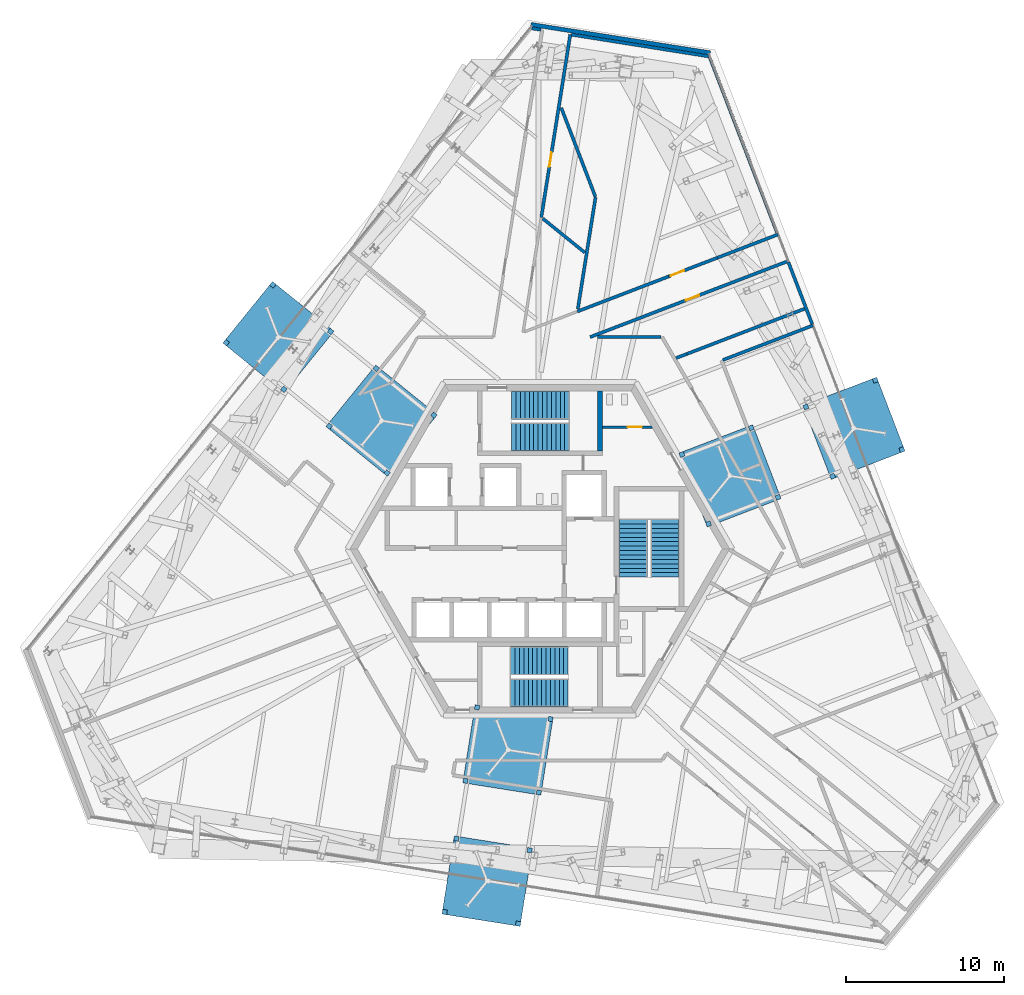
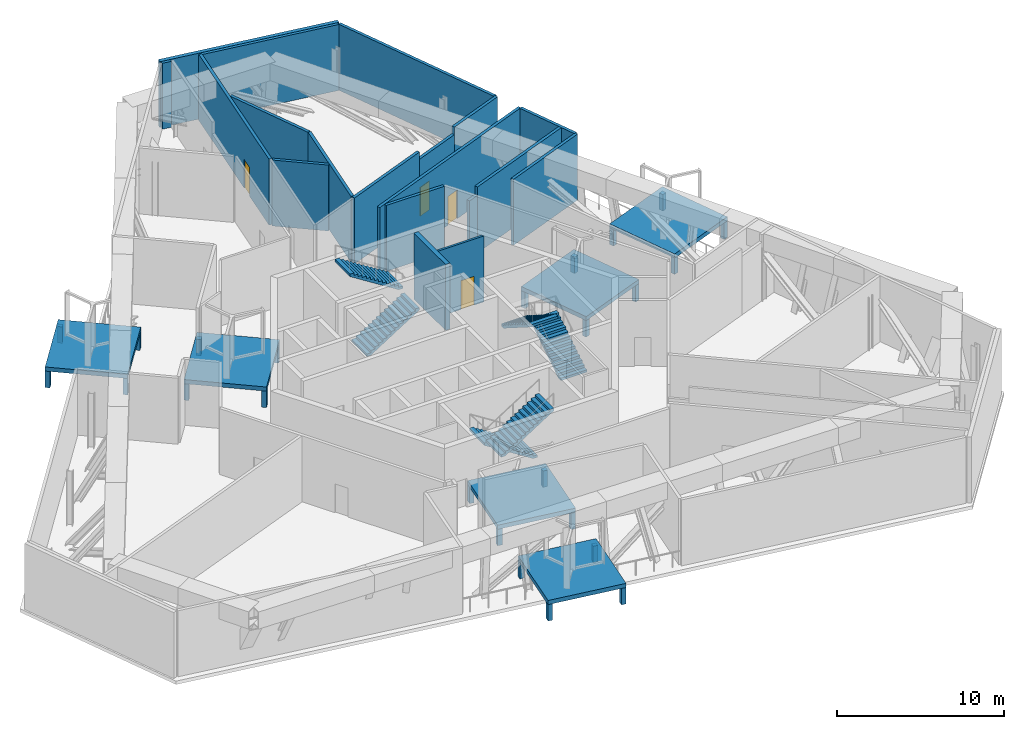
# One storey, part 11 of 14: 30 discrete accessories, 19 walls, 6 stair flights, 4 doors, 4 openings, 3 elements without a shape of their own.
"""IFC4 building model written with IfcOpenShell, lengths in metres."""

import ifcopenshell
import ifcopenshell.guid

model = None  # the IFC model being written
_history = None  # IfcOwnerHistory: only IFC2X3 demands one
_inside = {}  # id of a spatial element -> (the spatial element, [elements in it])
_under = {}  # id of a project, library or spatial element -> (it, [spatial elements below it])
_declared = {}  # id of a project -> (the project, [libraries it declares])
_typed = {}  # id of a type object -> (the type object, [elements of that type])
_made_of = {}  # id of a material, layer set ... -> (it, [elements and type objects made of it])


def new_model(schema):
    """Start an empty IFC model of exactly this schema.

    Asked for "IFC4X3", IfcOpenShell would pick the latest addendum, in which some entities
    have other attributes; the version numbers below select the first issue.
    IFC2X3 requires an IfcOwnerHistory on every rooted entity: one is made here for all.
    """
    global model, _history
    if schema == "IFC4X3":
        model = ifcopenshell.file(schema_version=(4, 3, 0, 0))
    else:
        model = ifcopenshell.file(schema=schema)
    _inside.clear()
    _under.clear()
    _declared.clear()
    _typed.clear()
    _made_of.clear()
    _history = None
    if model.schema == "IFC2X3":
        org = make("IfcOrganization", Name="unknown")
        user = make(
            "IfcPersonAndOrganization",
            ThePerson=make("IfcPerson", FamilyName="unknown"),
            TheOrganization=org,
        )
        app = make(
            "IfcApplication",
            ApplicationDeveloper=org,
            Version="unknown",
            ApplicationFullName="unknown",
            ApplicationIdentifier="unknown",
        )
        _history = make(
            "IfcOwnerHistory",
            OwningUser=user,
            OwningApplication=app,
            ChangeAction="ADDED",
            CreationDate=0,
        )
    return model


def make(cls, **values):
    """One entity of the class cls with the attributes given. An attribute that is None is left unset."""
    return model.create_entity(
        cls, **{name: value for name, value in values.items() if value is not None}
    )


def rooted(cls, **values):
    """An entity with a GlobalId (a new one), such as an element, a storey or a relation."""
    return make(cls, GlobalId=ifcopenshell.guid.new(), OwnerHistory=_history, **values)


def si_unit(unit_type, name, prefix=None):
    """IfcSIUnit, for example si_unit("LENGTHUNIT", "METRE", prefix="MILLI")."""
    return make("IfcSIUnit", UnitType=unit_type, Prefix=prefix, Name=name)


def assignment(units):
    """IfcUnitAssignment: the units of a project."""
    return None if units is None else make("IfcUnitAssignment", Units=units)


def point(xyz):
    """IfcCartesianPoint."""
    return None if xyz is None else make("IfcCartesianPoint", Coordinates=xyz)


def direction(xyz):
    """IfcDirection."""
    return None if xyz is None else make("IfcDirection", DirectionRatios=xyz)


def frame(location, z_axis=None, x_axis=None):
    """IfcAxis2Placement3D, a coordinate frame: its origin and axes. An axis left out is left unset."""
    return make(
        "IfcAxis2Placement3D",
        Location=point(location),
        Axis=direction(z_axis),
        RefDirection=direction(x_axis),
    )


def frame_2d(location, x_axis=None):
    """IfcAxis2Placement2D, a coordinate frame in the plane: its origin and x axis."""
    return make(
        "IfcAxis2Placement2D", Location=point(location), RefDirection=direction(x_axis)
    )


def origin():
    """The frame at (0, 0, 0) with its axes left unset."""
    return frame((0.0, 0.0, 0.0))


def origin_2d():
    """The frame at (0, 0) in the plane with its x axis left unset."""
    return frame_2d((0.0, 0.0))


def place(relative_to, where):
    """IfcLocalPlacement: puts the frame where relative to a parent placement (None: the world)."""
    return make(
        "IfcLocalPlacement", PlacementRelTo=relative_to, RelativePlacement=where
    )


def context(
    kind, dimensions, precision=None, world=None, true_north=None, identifier=None
):
    """IfcGeometricRepresentationContext, for example the 3D "Model" context."""
    return make(
        "IfcGeometricRepresentationContext",
        ContextIdentifier=identifier,
        ContextType=kind,
        CoordinateSpaceDimension=dimensions,
        Precision=precision,
        WorldCoordinateSystem=world,
        TrueNorth=true_north,
    )


def subcontext(parent, identifier, kind, view, scale=None):
    """IfcGeometricRepresentationSubContext, for example "Body" below "Model"."""
    return make(
        "IfcGeometricRepresentationSubContext",
        ContextIdentifier=identifier,
        ContextType=kind,
        ParentContext=parent,
        TargetScale=scale,
        TargetView=view,
    )


def project(units=None, contexts=None):
    """IfcProject with its units and contexts."""
    return rooted(
        "IfcProject",
        Name="project",
        RepresentationContexts=contexts,
        UnitsInContext=assignment(units),
    )


def spatial(cls, under=None, at=None, **own):
    """A site, building, storey or space (cls), placed at a placement, below another one or the project."""
    s = rooted(cls, ObjectPlacement=at, **own)
    if under is not None:
        _under.setdefault(under.id(), (under, []))[1].append(s)
    return s


def polyline(points):
    """IfcPolyline through the points."""
    return make("IfcPolyline", Points=[point(p) for p in points])


def profile(cls, at=None, kind="AREA", **sizes):
    """A parametric profile (cls). Its sizes go by their IFC names, for example OverallWidth=200.0."""
    return make(cls, ProfileType=kind, Position=at, **sizes)


def rectangle(**sizes):
    """IfcRectangleProfileDef."""
    return profile("IfcRectangleProfileDef", **sizes)


def outline(outer, holes=None, kind="AREA"):
    """IfcArbitraryClosedProfileDef: a profile drawn as a closed curve; with holes, ...WithVoids."""
    if holes is None:
        return make("IfcArbitraryClosedProfileDef", ProfileType=kind, OuterCurve=outer)
    return make(
        "IfcArbitraryProfileDefWithVoids",
        ProfileType=kind,
        OuterCurve=outer,
        InnerCurves=holes,
    )


def extrude(swept, where, along, depth):
    """IfcExtrudedAreaSolid: the profile swept, set in the frame where, extruded along a direction by depth."""
    return make(
        "IfcExtrudedAreaSolid",
        SweptArea=swept,
        Position=where,
        ExtrudedDirection=direction(along),
        Depth=depth,
    )


def shape(context_of_items, identifier, shape_type, items):
    """IfcShapeRepresentation: the items that make up one representation, for example the "Body"."""
    return make(
        "IfcShapeRepresentation",
        ContextOfItems=context_of_items,
        RepresentationIdentifier=identifier,
        RepresentationType=shape_type,
        Items=items,
    )


def source(mapping_origin, context_of_items, identifier, shape_type, items):
    """IfcRepresentationMap: a shape defined once, which mapped items show again and again."""
    return make(
        "IfcRepresentationMap",
        MappingOrigin=mapping_origin,
        MappedRepresentation=shape(context_of_items, identifier, shape_type, items),
    )


def transform(
    local_origin,
    x_axis=None,
    y_axis=None,
    z_axis=None,
    scale=None,
    scale2=None,
    scale3=None,
    uniform=True,
):
    """IfcCartesianTransformationOperator3D, or its non-uniform kind. x_axis, y_axis, z_axis: its Axis1, 2, 3."""
    if uniform:
        return make(
            "IfcCartesianTransformationOperator3D",
            Axis1=direction(x_axis),
            Axis2=direction(y_axis),
            LocalOrigin=point(local_origin),
            Scale=scale,
            Axis3=direction(z_axis),
        )
    return make(
        "IfcCartesianTransformationOperator3DnonUniform",
        Axis1=direction(x_axis),
        Axis2=direction(y_axis),
        LocalOrigin=point(local_origin),
        Scale=scale,
        Axis3=direction(z_axis),
        Scale2=scale2,
        Scale3=scale3,
    )


def mapped(mapping_source, mapping_target):
    """IfcMappedItem: shows the shape of a source again, moved by a transform."""
    return make(
        "IfcMappedItem", MappingSource=mapping_source, MappingTarget=mapping_target
    )


def material(Name=None, Category=None):
    """IfcMaterial."""
    return make("IfcMaterial", Name=Name, Category=Category)


def layer(
    of_material, thickness, ventilated=None, Name=None, Category=None, Priority=None
):
    """IfcMaterialLayer: one layer of a wall or slab, of a material (None: an air gap)."""
    return make(
        "IfcMaterialLayer",
        Material=of_material,
        LayerThickness=thickness,
        IsVentilated=ventilated,
        Name=Name,
        Category=Category,
        Priority=Priority,
    )


def layer_set(layers, Name=None):
    """IfcMaterialLayerSet."""
    return make("IfcMaterialLayerSet", MaterialLayers=layers, LayerSetName=Name)


def made_of(thing, what):
    """Note that an element or type object is made of a material, layer set ...; save() writes the relation."""
    if what is not None:
        _made_of.setdefault(what.id(), (what, []))[1].append(thing)
    return thing


def type_object(cls, material=None, **own):
    """A type object (cls), such as IfcWallType, which elements share."""
    return made_of(rooted(cls, **own), material)


def element(
    cls,
    number,
    at=None,
    inside=None,
    cuts=None,
    type_object=None,
    material=None,
    context=None,
    identifier="Body",
    shape_type=None,
    held_by="IfcProductDefinitionShape",
    body=None,
    shapes=None,
    **own,
):
    """One element of the class cls, such as IfcWall. Its Tag is "e" and its number.

    at: its placement. inside: the storey or other place that contains it. cuts: it is an
    opening in that element (IfcRelVoidsElement). A single representation is given by context,
    identifier, shape_type and body (its items); several are given by shapes. held_by: the class
    of the entity that holds the representations. save() writes the other relations.
    """
    e = rooted(cls, Tag="e%d" % number, ObjectPlacement=at, **own)
    if body is not None:
        shapes = [shape(context, identifier, shape_type, body)]
    if shapes is not None:
        e.Representation = make(held_by, Representations=shapes)
    if inside is not None:
        _inside.setdefault(inside.id(), (inside, []))[1].append(e)
    if cuts is not None:
        rooted(
            "IfcRelVoidsElement", RelatingBuildingElement=cuts, RelatedOpeningElement=e
        )
    if type_object is not None:
        _typed.setdefault(type_object.id(), (type_object, []))[1].append(e)
    return made_of(e, material)


def fill(opening, filler):
    """IfcRelFillsElement: the door or window that sits in an opening."""
    return rooted(
        "IfcRelFillsElement",
        RelatingOpeningElement=opening,
        RelatedBuildingElement=filler,
    )


def aggregate(whole, parts):
    """IfcRelAggregates: a whole, such as a stair, and the parts it consists of."""
    return rooted("IfcRelAggregates", RelatingObject=whole, RelatedObjects=parts)


def save(model, path):
    """Write the relations noted so far, then the file.

    IfcRelAggregates (storeys below a building ...), IfcRelContainedInSpatialStructure (elements
    in a storey), IfcRelDefinesByType, IfcRelAssociatesMaterial and IfcRelDeclares: one each for
    every whole, place, type object, material and project.
    """
    for whole, parts in _under.values():
        aggregate(whole, parts)
    for where, things in _inside.values():
        rooted(
            "IfcRelContainedInSpatialStructure",
            RelatedElements=things,
            RelatingStructure=where,
        )
    for kind, things in _typed.values():
        rooted("IfcRelDefinesByType", RelatedObjects=things, RelatingType=kind)
    for what, things in _made_of.values():
        rooted("IfcRelAssociatesMaterial", RelatedObjects=things, RelatingMaterial=what)
    for by, libraries in _declared.values():
        rooted("IfcRelDeclares", RelatingContext=by, RelatedDefinitions=libraries)
    model.write(path)


model = new_model("IFC4")

# Units and contexts
model_context = context("Model", 3, precision=1e-05, world=origin(), true_north=direction((0.0, 1.0)))
body_context = subcontext(model_context, "Body", "Model", "MODEL_VIEW")
ifc_project = project(units=[si_unit("LENGTHUNIT", "METRE"), si_unit("AREAUNIT", "SQUARE_METRE"), si_unit("VOLUMEUNIT", "CUBIC_METRE"), si_unit("PLANEANGLEUNIT", "RADIAN"), si_unit("MASSUNIT", "GRAM", prefix="KILO")], contexts=[model_context])

# Site, building, storey
site_placement = place(None, origin())
site = spatial("IfcSite", under=ifc_project, at=site_placement, CompositionType="ELEMENT")
building_placement = place(site_placement, origin())
building = spatial("IfcBuilding", under=site, at=building_placement, Name="Triune Harvest Tower", CompositionType="ELEMENT")
storey_placement = place(building_placement, frame((0.0, 0.0, 174.925048828125)))
storey = spatial("IfcBuildingStorey", under=building, at=storey_placement, Name="L45", CompositionType="ELEMENT", Elevation=174.925048828125)

# Wall, opening, door
ifc_material_1 = material(Name="Concrete masonry unit", Category="masonry")
ifc_layer_1 = layer(ifc_material_1, 0.14990234375)
ifc_layer_set_1 = layer_set([ifc_layer_1], Name="Concrete masonry unit")
wall_type_1 = type_object("IfcWallType", Name="Block partition 150 unrated", PredefinedType="PARTITIONING", material=ifc_layer_set_1)
wall_1_placement = place(storey_placement, frame((3.949951171875, 7.699951171875, 0.0), z_axis=(0.0, 0.0, 1.0), x_axis=(1.0, 0.0, 0.0)))
wall_1 = element("IfcWall", 1, at=wall_1_placement, inside=storey, type_object=wall_type_1, Name="Wc women south wall", PredefinedType="PARTITIONING", context=body_context, shape_type="SweptSolid", body=[
    extrude(outline(polyline([(0.0, -0.074951171875), (0.0, 0.074951171875), (3.1015625, 0.074951171875), (3.18798828125, -0.074951171875), (0.0, -0.074951171875)])), origin(), (0.0, 0.0, 1.0), 4.81494140625),
])
opening_1_placement = place(wall_1_placement, frame((1.60009765625, 0.0, 0.0)))
opening_1 = element("IfcOpeningElement", 2, at=opening_1_placement, cuts=wall_1, Name="Opening CD-WW", PredefinedType="OPENING", context=body_context, shape_type="SweptSolid", body=[
    extrude(rectangle(XDim=0.89990234375, YDim=2.10009765625, at=frame_2d((0.449951171875, 1.050048828125))), frame((0.0, 0.0849609375, 0.0), z_axis=(0.0, -1.0, 0.0), x_axis=(1.0, 0.0, 0.0)), (0.0, 0.0, 1.0), 0.169921875),
])
ifc_material_2 = material(Name="Timber C24", Category="wood")
door_type_1 = type_object("IfcDoorType", Name="WC door 900", OperationType="SINGLE_SWING_LEFT", PredefinedType="DOOR", material=ifc_material_2)
door_1_placement = place(opening_1_placement, origin())
door_1 = element("IfcDoor", 3, at=door_1_placement, inside=storey, type_object=door_type_1, Name="Door CD-WW", OperationType="SINGLE_SWING_LEFT", OverallHeight=2.10009765625, OverallWidth=0.89990234375, PredefinedType="DOOR", context=body_context, shape_type="SweptSolid", body=[
    extrude(rectangle(XDim=0.89990234375, YDim=2.10009765625, at=frame_2d((0.449951171875, 1.050048828125))), frame((0.0, 0.02490234375, 0.0), z_axis=(0.0, -1.0, 0.0), x_axis=(1.0, 0.0, 0.0)), (0.0, 0.0, 1.0), 0.050048828125),
])
fill(opening_1, door_1)

# Walls
ifc_material_3 = material(Name="Gypsum board on steel studs", Category="steel")
ifc_layer_2 = layer(ifc_material_3, 0.199951171875)
ifc_layer_set_2 = layer_set([ifc_layer_2], Name="Gypsum board on steel studs")
wall_type_2 = type_object("IfcWallType", Name="Fire Wall 200 mm", PredefinedType="PARTITIONING", material=ifc_layer_set_2)
wall_2_placement = place(storey_placement, frame((1.356201171875, 27.88330078125, 0.0), z_axis=(0.0, 0.0, 1.0), x_axis=(0.358345290699, -0.933589124098, 0.0)))
element("IfcWall", 4, at=wall_2_placement, inside=storey, type_object=wall_type_2, Name="Partition L45 002", PredefinedType="PARTITIONING", context=body_context, shape_type="SweptSolid", body=[
    extrude(rectangle(XDim=6.01513671875, YDim=0.199951171875, at=frame_2d((3.007568359375, 0.0))), origin(), (0.0, 0.0, 1.0), 4.81494140625),
])
wall_3_placement = place(storey_placement, frame((10.725341796875, 31.134521484375, 0.0), z_axis=(0.0, 0.0, 1.0), x_axis=(0.358364654935, -0.933581691173, 0.0)))
element("IfcWall", 5, at=wall_3_placement, inside=storey, type_object=wall_type_2, Name="Partition L45 005", PredefinedType="PARTITIONING", context=body_context, shape_type="SweptSolid", body=[
    extrude(rectangle(XDim=11.9833984375, YDim=0.199951171875, at=frame_2d((5.99169921875, 0.0))), origin(), (0.0, 0.0, 1.0), 4.81494140625),
])
wall_4_placement = place(storey_placement, frame((15.72021484375, 18.122802734375, 0.0), z_axis=(0.0, 0.0, 1.0), x_axis=(0.358352699225, -0.933586280404, 0.0)))
element("IfcWall", 6, at=wall_4_placement, inside=storey, type_object=wall_type_2, Name="Partition L45 006", PredefinedType="PARTITIONING", context=body_context, shape_type="SweptSolid", body=[
    extrude(rectangle(XDim=4.20556640625, YDim=0.199951171875, at=frame_2d((2.102783203125, 0.0))), origin(), (0.0, 0.0, 1.0), 4.81494140625),
])
wall_5_placement = place(storey_placement, frame((0.186279296875, 20.887451171875, 0.0), z_axis=(0.0, 0.0, 1.0), x_axis=(0.777174851998, -0.629284712528, 0.0)))
element("IfcWall", 7, at=wall_5_placement, inside=storey, type_object=wall_type_2, Name="Partition L45 018", PredefinedType="PARTITIONING", context=body_context, shape_type="SweptSolid", body=[
    extrude(rectangle(XDim=3.41064453125, YDim=0.199951171875, at=frame_2d((1.705322265625, 0.0))), origin(), (0.0, 0.0, 1.0), 4.81494140625),
])
wall_6_placement = place(storey_placement, frame((-0.51025390625, 32.9140625, 0.0), z_axis=(0.0, 0.0, 1.0), x_axis=(0.987695604718, -0.156388594279, 0.0)))
element("IfcWall", 8, at=wall_6_placement, inside=storey, type_object=wall_type_2, Name="Partition L45 025", PredefinedType="PARTITIONING", context=body_context, shape_type="SweptSolid", body=[
    extrude(rectangle(XDim=0.588623046875, YDim=0.199951171875, at=frame_2d((0.29443359375, 0.0))), origin(), (0.0, 0.0, 1.0), 4.81494140625),
])
wall_7_placement = place(storey_placement, frame((2.0009765625, 32.516357421875, 0.0), z_axis=(0.0, 0.0, 1.0), x_axis=(0.987688535069, -0.156433237177, 0.0)))
element("IfcWall", 9, at=wall_7_placement, inside=storey, type_object=wall_type_2, Name="Partition L45 026", PredefinedType="PARTITIONING", context=body_context, shape_type="SweptSolid", body=[
    extrude(rectangle(XDim=8.76318359375, YDim=0.199951171875, at=frame_2d((4.381591796875, 0.0))), origin(), (0.0, 0.0, 1.0), 4.81494140625),
])
wall_8_placement = place(storey_placement, frame((3.660888671875, 13.392333984375, 0.0), z_axis=(0.0, 0.0, 1.0), x_axis=(1.0, 0.0, 0.0)))
element("IfcWall", 10, at=wall_8_placement, inside=storey, type_object=wall_type_2, Name="Partition L45 030", PredefinedType="PARTITIONING", context=body_context, shape_type="SweptSolid", body=[
    extrude(rectangle(XDim=4.001220703125, YDim=0.199951171875, at=frame_2d((2.00048828125, 0.0))), origin(), (0.0, 0.0, 1.0), 4.81494140625),
])
wall_9_placement = place(storey_placement, frame((8.613525390625, 12.06298828125, 0.0), z_axis=(0.0, 0.0, 1.0), x_axis=(0.933585071315, 0.358355849146, 0.0)))
element("IfcWall", 11, at=wall_9_placement, inside=storey, type_object=wall_type_2, Name="Partition L45 037", PredefinedType="PARTITIONING", context=body_context, shape_type="SweptSolid", body=[
    extrude(rectangle(XDim=0.735107421875, YDim=0.199951171875, at=frame_2d((0.36767578125, 0.0))), origin(), (0.0, 0.0, 1.0), 4.20263671875),
])
wall_10_placement = place(storey_placement, frame((9.2998046875, 12.326416015625, 0.0), z_axis=(0.0, 0.0, 1.0), x_axis=(0.933572286684, 0.358389153764, 0.0)))
element("IfcWall", 12, at=wall_10_placement, inside=storey, type_object=wall_type_2, Name="Partition L45 037a", PredefinedType="PARTITIONING", context=body_context, shape_type="SweptSolid", body=[
    extrude(rectangle(XDim=8.071044921875, YDim=0.199951171875, at=frame_2d((4.03564453125, 0.0))), origin(), (0.0, 0.0, 1.0), 4.81494140625),
])

# Wall, opening, door
wall_11_placement = place(storey_placement, frame((3.181884765625, 13.392333984375, 0.0), z_axis=(0.0, 0.0, 1.0), x_axis=(0.933582527839, 0.358362475315, 0.0)))
wall_11 = element("IfcWall", 13, at=wall_11_placement, inside=storey, type_object=wall_type_2, Name="Partition L45 038", PredefinedType="PARTITIONING", context=body_context, shape_type="SweptSolid", body=[
    extrude(rectangle(XDim=13.400634765625, YDim=0.199951171875, at=frame_2d((6.7001953125, 0.0))), origin(), (0.0, 0.0, 1.0), 4.81494140625),
])
opening_2_placement = place(wall_11_placement, frame((6.4765625, 0.0, 0.0)))
opening_2 = element("IfcOpeningElement", 14, at=opening_2_placement, cuts=wall_11, Name="Opening L45-006", PredefinedType="OPENING", context=body_context, shape_type="SweptSolid", body=[
    extrude(rectangle(XDim=0.89990234375, YDim=2.10009765625, at=frame_2d((0.449951171875, 1.050048828125))), frame((0.0, 0.10986328125, 0.0), z_axis=(0.0, -1.0, 0.0), x_axis=(1.0, 0.0, 0.0)), (0.0, 0.0, 1.0), 0.219970703125),
])
ifc_material_4 = material(Name="Timber and steel door set", Category="steel")
door_type_2 = type_object("IfcDoorType", Name="Single leaf door FD60 left hand 900 x 2100", OperationType="SINGLE_SWING_LEFT", PredefinedType="DOOR", material=ifc_material_4)
door_2_placement = place(opening_2_placement, origin())
door_2 = element("IfcDoor", 15, at=door_2_placement, inside=storey, type_object=door_type_2, Name="Door L45-006 Pump Room 45.06", OperationType="SINGLE_SWING_LEFT", OverallHeight=2.10009765625, OverallWidth=0.89990234375, PredefinedType="DOOR", context=body_context, shape_type="SweptSolid", body=[
    extrude(rectangle(XDim=0.89990234375, YDim=2.10009765625, at=frame_2d((0.449951171875, 1.050048828125))), frame((0.0, 0.02490234375, 0.0), z_axis=(0.0, -1.0, 0.0), x_axis=(1.0, 0.0, 0.0)), (0.0, 0.0, 1.0), 0.050048828125),
])
fill(opening_2, door_2)

# Wall
wall_12_placement = place(storey_placement, frame((2.37451171875, 15.01025390625, 0.0), z_axis=(0.0, 0.0, 1.0), x_axis=(0.93358589956, 0.358353691403, 0.0)))
element("IfcWall", 16, at=wall_12_placement, inside=storey, type_object=wall_type_2, Name="Partition L45 041", PredefinedType="PARTITIONING", context=body_context, shape_type="SweptSolid", body=[
    extrude(rectangle(XDim=6.174560546875, YDim=0.199951171875, at=frame_2d((3.08740234375, 0.0))), origin(), (0.0, 0.0, 1.0), 4.81494140625),
])

# Wall, opening, door
wall_13_placement = place(storey_placement, frame((8.138916015625, 17.222900390625, 0.0), z_axis=(0.0, 0.0, 1.0), x_axis=(0.933564237778, 0.358410119754, 0.0)))
wall_13 = element("IfcWall", 17, at=wall_13_placement, inside=storey, type_object=wall_type_2, Name="Partition L45 041a", PredefinedType="PARTITIONING", context=body_context, shape_type="SweptSolid", body=[
    extrude(rectangle(XDim=3.30712890625, YDim=0.199951171875, at=frame_2d((1.653564453125, 0.0))), origin(), (0.0, 0.0, 1.0), 4.279052734375),
])
opening_3_placement = place(wall_13_placement, frame((0.14990234375, 0.0, 0.0)))
opening_3 = element("IfcOpeningElement", 18, at=opening_3_placement, cuts=wall_13, Name="Opening L45-005", PredefinedType="OPENING", context=body_context, shape_type="SweptSolid", body=[
    extrude(rectangle(XDim=0.89990234375, YDim=2.10009765625, at=frame_2d((0.449951171875, 1.050048828125))), frame((0.0, 0.10986328125, 0.0), z_axis=(0.0, -1.0, 0.0), x_axis=(1.0, 0.0, 0.0)), (0.0, 0.0, 1.0), 0.219970703125),
])
door_3_placement = place(opening_3_placement, origin())
door_3 = element("IfcDoor", 19, at=door_3_placement, inside=storey, type_object=door_type_2, Name="Door L45-005 Switch Room 45.05", OperationType="SINGLE_SWING_LEFT", OverallHeight=2.10009765625, OverallWidth=0.89990234375, PredefinedType="DOOR", context=body_context, shape_type="SweptSolid", body=[
    extrude(rectangle(XDim=0.89990234375, YDim=2.10009765625, at=frame_2d((0.449951171875, 1.050048828125))), frame((0.0, 0.02490234375, 0.0), z_axis=(0.0, -1.0, 0.0), x_axis=(1.0, 0.0, 0.0)), (0.0, 0.0, 1.0), 0.050048828125),
])
fill(opening_3, door_3)

# Walls
wall_14_placement = place(storey_placement, frame((11.226318359375, 18.408203125, 0.0), z_axis=(0.0, 0.0, 1.0), x_axis=(0.933585213293, 0.358355479266, 0.0)))
element("IfcWall", 20, at=wall_14_placement, inside=storey, type_object=wall_type_2, Name="Partition L45 041b", PredefinedType="PARTITIONING", context=body_context, shape_type="SweptSolid", body=[
    extrude(rectangle(XDim=4.093017578125, YDim=0.199951171875, at=frame_2d((2.04638671875, 0.0))), origin(), (0.0, 0.0, 1.0), 4.81494140625),
])
wall_15_placement = place(storey_placement, frame((2.401123046875, 15.159912109375, 0.0), z_axis=(0.0, 0.0, 1.0), x_axis=(0.156440047159, 0.987687456458, 0.0)))
element("IfcWall", 21, at=wall_15_placement, inside=storey, type_object=wall_type_2, Name="Partition L45 054", PredefinedType="PARTITIONING", context=body_context, shape_type="SweptSolid", body=[
    extrude(rectangle(XDim=7.167724609375, YDim=0.199951171875, at=frame_2d((3.583984375, 0.0))), origin(), (0.0, 0.0, 1.0), 4.81494140625),
])

# Wall, opening, door
wall_16_placement = place(storey_placement, frame((0.09228515625, 20.959716796875, 0.0), z_axis=(0.0, 0.0, 1.0), x_axis=(0.15645384908, 0.98768527027, 0.0)))
wall_16 = element("IfcWall", 22, at=wall_16_placement, inside=storey, type_object=wall_type_2, Name="Partition L45 057", PredefinedType="PARTITIONING", context=body_context, shape_type="SweptSolid", body=[
    extrude(rectangle(XDim=11.712890625, YDim=0.199951171875, at=frame_2d((5.8564453125, 0.0))), origin(), (0.0, 0.0, 1.0), 4.81494140625),
])
opening_4_placement = place(wall_16_placement, frame((3.25341796875, 0.0, 0.0)))
opening_4 = element("IfcOpeningElement", 23, at=opening_4_placement, cuts=wall_16, Name="Opening L45-008", PredefinedType="OPENING", context=body_context, shape_type="SweptSolid", body=[
    extrude(rectangle(XDim=0.89990234375, YDim=2.10009765625, at=frame_2d((0.449951171875, 1.050048828125))), frame((0.0, 0.10986328125, 0.0), z_axis=(0.0, -1.0, 0.0), x_axis=(1.0, 0.0, 0.0)), (0.0, 0.0, 1.0), 0.219970703125),
])
ifc_material_5 = material(Name="Timber and steel door set", Category="steel")
door_type_3 = type_object("IfcDoorType", Name="Single leaf door FD60 right hand 900 x 2100", OperationType="SINGLE_SWING_RIGHT", PredefinedType="DOOR", material=ifc_material_5)
door_4_placement = place(opening_4_placement, origin())
door_4 = element("IfcDoor", 24, at=door_4_placement, inside=storey, type_object=door_type_3, Name="Door L45-008 Switchgear Plant Room 45.08", OperationType="SINGLE_SWING_RIGHT", OverallHeight=2.10009765625, OverallWidth=0.89990234375, PredefinedType="DOOR", context=body_context, shape_type="SweptSolid", body=[
    extrude(rectangle(XDim=0.89990234375, YDim=2.10009765625, at=frame_2d((0.449951171875, 1.050048828125))), frame((0.0, 0.02490234375, 0.0), z_axis=(0.0, -1.0, 0.0), x_axis=(1.0, 0.0, 0.0)), (0.0, 0.0, 1.0), 0.050048828125),
])
fill(opening_4, door_4)

# Walls
ifc_material_6 = material(Name="Aluminium bronze anodised", Category="aluminium")
ifc_layer_3 = layer(ifc_material_6, 0.260009765625)
ifc_layer_set_3 = layer_set([ifc_layer_3], Name="Aluminium bronze anodised")
wall_type_3 = type_object("IfcWallType", Name="LW-1 plant louvre wall", PredefinedType="ELEMENTEDWALL", material=ifc_layer_set_3)
wall_17_placement = place(storey_placement, frame((10.77587890625, 31.364501953125, 0.0), z_axis=(0.0, 0.0, 1.0), x_axis=(-0.987690742385, 0.156419299982, 0.0)))
element("IfcWall", 25, at=wall_17_placement, inside=storey, type_object=wall_type_3, Name="LW-1 plant louvre wall B4-F2 L45", PredefinedType="ELEMENTEDWALL", context=body_context, shape_type="SweptSolid", body=[
    extrude(rectangle(XDim=11.473388671875, YDim=0.260009765625, at=frame_2d((5.73681640625, 0.0))), origin(), (0.0, 0.0, 1.0), 4.81494140625),
])
ifc_material_7 = material(Name="Concrete 70 MPa", Category="concrete")
ifc_layer_4 = layer(ifc_material_7, 0.300048828125)
ifc_layer_set_4 = layer_set([ifc_layer_4], Name="Concrete 70 MPa")
wall_type_4 = type_object("IfcWallType", Name="Core wall 300", PredefinedType="SHEAR", material=ifc_layer_set_4)
shared_shape_1 = source(origin(), body_context, "Body", "SweptSolid", [
    extrude(outline(polyline([(0.0, -0.14990234375), (0.0, 0.14990234375), (3.80419921875, 0.14990234375), (3.80419921875, -0.14990234375), (0.0, -0.14990234375)])), origin(), (0.0, 0.0, 1.0), 4.81494140625),
])
wall_18_placement = place(storey_placement, frame((3.800048828125, 6.18994140625, 0.0), z_axis=(0.0, 0.0, 1.0), x_axis=(0.0, 1.0, 0.0)))
element("IfcWall", 26, at=wall_18_placement, inside=storey, type_object=wall_type_4, Name="Stair n east wall", PredefinedType="SHEAR", context=body_context, shape_type="MappedRepresentation", body=[
    mapped(shared_shape_1, transform((0.0, 0.0, 0.0), scale=1.0)),
])
shared_shape_2 = source(origin(), body_context, "Body", "SweptSolid", [
    extrude(rectangle(XDim=6.09375, YDim=0.199951171875, at=frame_2d((3.046875, 0.0))), origin(), (0.0, 0.0, 1.0), 4.81494140625),
])
wall_19_placement = place(storey_placement, frame((11.56982421875, 11.939208984375, 0.0), z_axis=(0.0, 0.0, 1.0), x_axis=(0.933577742222, 0.358374942244, 0.0)))
element("IfcWall", 27, at=wall_19_placement, inside=storey, type_object=wall_type_2, Name="Partition L45 036", PredefinedType="PARTITIONING", context=body_context, shape_type="MappedRepresentation", body=[
    mapped(shared_shape_2, transform((0.0, 0.0, 0.0), scale=1.0)),
])

# Stair, stair flights
ifc_material_8 = material(Name="Concrete 40 MPa", Category="concrete")
stair_type = type_object("IfcStairType", Name="Exit stair 1800 half turn", PredefinedType="HALF_TURN_STAIR", material=ifc_material_8)
stair_1_placement = place(storey_placement, origin())
stair_1 = element("IfcStair", 28, at=stair_1_placement, inside=storey, type_object=stair_type, Name="Exit stair north", PredefinedType="HALF_TURN_STAIR")
ifc_material_9 = material(Name="Concrete 40 MPa", Category="concrete")
stair_flight_type = type_object("IfcStairFlightType", Name="Stair flight 1800", PredefinedType="STRAIGHT", material=ifc_material_9)
shared_shape_3 = source(origin(), body_context, "Body", "SweptSolid", [
    extrude(outline(polyline([(0.0, 0.0), (0.0, 0.177734375), (0.280029296875, 0.177734375), (0.280029296875, 0.35546875), (0.56005859375, 0.35546875), (0.56005859375, 0.532958984375), (0.840087890625, 0.532958984375), (0.840087890625, 0.710693359375), (1.1201171875, 0.710693359375), (1.1201171875, 0.888427734375), (1.39990234375, 0.888427734375), (1.39990234375, 1.066162109375), (1.679931640625, 1.066162109375), (1.679931640625, 1.24365234375), (1.9599609375, 1.24365234375), (1.9599609375, 1.42138671875), (2.239990234375, 1.42138671875), (2.239990234375, 1.59912109375), (2.52001953125, 1.59912109375), (2.52001953125, 1.77685546875), (2.800048828125, 1.77685546875), (2.800048828125, 1.95458984375), (3.080078125, 1.95458984375), (3.080078125, 2.132080078125), (3.360107421875, 2.132080078125), (3.360107421875, 2.309814453125), (3.639892578125, 2.309814453125), (3.639892578125, 2.487548828125), (3.639892578125, 2.13232421875), (0.27978515625, 0.0), (0.0, 0.0)])), frame((0.0, 0.89990234375, 0.0), z_axis=(0.0, -1.0, 0.0), x_axis=(1.0, 0.0, 0.0)), (0.0, 0.0, 1.0), 1.800048828125),
])
stair_flight_1_placement = place(storey_placement, frame((-1.7900390625, 7.090087890625, 0.0), z_axis=(0.0, 0.0, 1.0), x_axis=(1.0, 0.0, 0.0)))
stair_flight_1 = element("IfcStairFlight", 29, at=stair_flight_1_placement, type_object=stair_flight_type, Name="ST-1 flight 1", NumberOfRisers=14, NumberOfTreads=13, PredefinedType="STRAIGHT", RiserHeight=0.17768, TreadLength=0.28, context=body_context, shape_type="MappedRepresentation", body=[
    mapped(shared_shape_3, transform((0.0, 0.0, 0.0), scale=1.0)),
])
stair_flight_2_placement = place(storey_placement, frame((1.85009765625, 9.090087890625, 2.487548828125), z_axis=(0.0, 0.0, 1.0), x_axis=(-1.0, 0.0, 0.0)))
stair_flight_2 = element("IfcStairFlight", 30, at=stair_flight_2_placement, type_object=stair_flight_type, Name="ST-1 flight 2", NumberOfRisers=14, NumberOfTreads=13, PredefinedType="STRAIGHT", RiserHeight=0.17768, TreadLength=0.28, context=body_context, shape_type="MappedRepresentation", body=[
    mapped(shared_shape_3, transform((0.0, 0.0, 0.0), scale=1.0)),
])
aggregate(stair_1, [stair_flight_1, stair_flight_2])

stair_2_placement = place(storey_placement, origin())
stair_2 = element("IfcStair", 31, at=stair_2_placement, inside=storey, type_object=stair_type, Name="Exit stair south", PredefinedType="HALF_TURN_STAIR")
stair_flight_3_placement = place(storey_placement, frame((1.7900390625, -7.090087890625, 0.0), z_axis=(0.0, 0.0, 1.0), x_axis=(-1.0, 0.0, 0.0)))
stair_flight_3 = element("IfcStairFlight", 32, at=stair_flight_3_placement, type_object=stair_flight_type, Name="ST-2 flight 1", NumberOfRisers=14, NumberOfTreads=13, PredefinedType="STRAIGHT", RiserHeight=0.17768, TreadLength=0.28, context=body_context, shape_type="MappedRepresentation", body=[
    mapped(shared_shape_3, transform((0.0, 0.0, 0.0), scale=1.0)),
])
stair_flight_4_placement = place(storey_placement, frame((-1.85009765625, -9.090087890625, 2.487548828125), z_axis=(0.0, 0.0, 1.0), x_axis=(1.0, 0.0, 0.0)))
stair_flight_4 = element("IfcStairFlight", 33, at=stair_flight_4_placement, type_object=stair_flight_type, Name="ST-2 flight 2", NumberOfRisers=14, NumberOfTreads=13, PredefinedType="STRAIGHT", RiserHeight=0.17768, TreadLength=0.28, context=body_context, shape_type="MappedRepresentation", body=[
    mapped(shared_shape_3, transform((0.0, 0.0, 0.0), scale=1.0)),
])
aggregate(stair_2, [stair_flight_3, stair_flight_4])

stair_3_placement = place(storey_placement, origin())
stair_3 = element("IfcStair", 34, at=stair_3_placement, inside=storey, type_object=stair_type, Name="Exit stair east", PredefinedType="HALF_TURN_STAIR")
stair_flight_5_placement = place(storey_placement, frame((7.89990234375, -1.7900390625, 0.0), z_axis=(0.0, 0.0, 1.0), x_axis=(0.0, 1.0, 0.0)))
stair_flight_5 = element("IfcStairFlight", 35, at=stair_flight_5_placement, type_object=stair_flight_type, Name="ST-3 flight 1", NumberOfRisers=14, NumberOfTreads=13, PredefinedType="STRAIGHT", RiserHeight=0.17768, TreadLength=0.28, context=body_context, shape_type="MappedRepresentation", body=[
    mapped(shared_shape_3, transform((0.0, 0.0, 0.0), scale=1.0)),
])
stair_flight_6_placement = place(storey_placement, frame((5.89990234375, 1.85009765625, 2.487548828125), z_axis=(0.0, 0.0, 1.0), x_axis=(0.0, -1.0, 0.0)))
stair_flight_6 = element("IfcStairFlight", 36, at=stair_flight_6_placement, type_object=stair_flight_type, Name="ST-3 flight 2", NumberOfRisers=14, NumberOfTreads=13, PredefinedType="STRAIGHT", RiserHeight=0.17768, TreadLength=0.28, context=body_context, shape_type="MappedRepresentation", body=[
    mapped(shared_shape_3, transform((0.0, 0.0, 0.0), scale=1.0)),
])
aggregate(stair_3, [stair_flight_5, stair_flight_6])

# Discrete accessories
ifc_material_10 = material(Name="Steel ASTM A992 Gr 50", Category="steel")
shared_shape_4 = source(origin(), body_context, "Body", "SweptSolid", [
    extrude(rectangle(XDim=0.300048828125, YDim=0.300048828125, at=origin_2d()), origin(), (0.0, 0.0, 1.0), 1.199951171875),
])
for number, where, z_axis, x_axis, name in (
    (37, (10.66845703125, 1.577880859375, 0.0), (0.0, 0.0, 1.0), (0.933580426497, 0.358367949545, 0.0), "Turbine frame post CH1.1.1"),
    (38, (8.984130859375, 5.9658203125, 0.0), (0.0, 0.0, 1.0), (0.933580426497, 0.358367949545, 0.0), "Turbine frame post CH1.1.2"),
    (39, (15.056396484375, 3.262451171875, 0.0), (0.0, 0.0, 1.0), (0.933580426497, 0.358367949545, 0.0), "Turbine frame post CH1.1.3"),
    (40, (13.371826171875, 7.650146484375, 0.0), (0.0, 0.0, 1.0), (0.933580426497, 0.358367949545, 0.0), "Turbine frame post CH1.1.4"),
    (41, (18.510498046875, 4.588134765625, 0.0), (0.0, 0.0, 1.0), (0.933580426497, 0.358367949545, 0.0), "Turbine frame post CH1.2.1"),
    (42, (16.826171875, 8.97607421875, 0.0), (0.0, 0.0, 1.0), (0.933580426497, 0.358367949545, 0.0), "Turbine frame post CH1.2.2"),
    (43, (22.898193359375, 6.272705078125, 0.0), (0.0, 0.0, 1.0), (0.933580426497, 0.358367949545, 0.0), "Turbine frame post CH1.2.3"),
    (44, (21.2138671875, 10.660400390625, 0.0), (0.0, 0.0, 1.0), (0.933580426497, 0.358367949545, 0.0), "Turbine frame post CH1.2.4"),
    (45, (-6.70068359375, 8.4501953125, 0.0), (0.0, 0.0, 1.0), (-0.777145961457, 0.62932039105, 0.0), "Turbine frame post CH2.1.1"),
    (46, (-9.65869140625, 4.797607421875, 0.0), (0.0, 0.0, 1.0), (-0.777145961457, 0.62932039105, 0.0), "Turbine frame post CH2.1.2"),
    (47, (-10.353515625, 11.407958984375, 0.0), (0.0, 0.0, 1.0), (-0.777145961457, 0.62932039105, 0.0), "Turbine frame post CH2.1.3"),
    (48, (-13.311279296875, 7.75537109375, 0.0), (0.0, 0.0, 1.0), (-0.777145961457, 0.62932039105, 0.0), "Turbine frame post CH2.1.4"),
    (49, (-13.228759765625, 13.736328125, 0.0), (0.0, 0.0, 1.0), (-0.777145961457, 0.62932039105, 0.0), "Turbine frame post CH2.2.1"),
    (50, (-16.1865234375, 10.083740234375, 0.0), (0.0, 0.0, 1.0), (-0.777145961457, 0.62932039105, 0.0), "Turbine frame post CH2.2.2"),
    (51, (-16.88134765625, 16.694091796875, 0.0), (0.0, 0.0, 1.0), (-0.777145961457, 0.62932039105, 0.0), "Turbine frame post CH2.2.3"),
    (52, (-19.839111328125, 13.04150390625, 0.0), (0.0, 0.0, 1.0), (-0.777145961457, 0.62932039105, 0.0), "Turbine frame post CH2.2.4"),
    (53, (-3.967529296875, -10.028076171875, 0.0), (0.0, 0.0, 1.0), (-0.15643446504, -0.987688340595, 0.0), "Turbine frame post CH3.1.1"),
    (54, (0.674560546875, -10.763427734375, 0.0), (0.0, 0.0, 1.0), (-0.15643446504, -0.987688340595, 0.0), "Turbine frame post CH3.1.2"),
    (55, (-4.702880859375, -14.670166015625, 0.0), (0.0, 0.0, 1.0), (-0.15643446504, -0.987688340595, 0.0), "Turbine frame post CH3.1.3"),
    (56, (-0.060791015625, -15.405517578125, 0.0), (0.0, 0.0, 1.0), (-0.15643446504, -0.987688340595, 0.0), "Turbine frame post CH3.1.4"),
    (57, (-5.281494140625, -18.32470703125, 0.0), (0.0, 0.0, 1.0), (-0.15643446504, -0.987688340595, 0.0), "Turbine frame post CH3.2.1"),
    (58, (-0.639404296875, -19.06005859375, 0.0), (0.0, 0.0, 1.0), (-0.15643446504, -0.987688340595, 0.0), "Turbine frame post CH3.2.2"),
    (59, (-6.016845703125, -22.966796875, 0.0), (0.0, 0.0, 1.0), (-0.15643446504, -0.987688340595, 0.0), "Turbine frame post CH3.2.3"),
    (60, (-1.374755859375, -23.7021484375, 0.0), (0.0, 0.0, 1.0), (-0.15643446504, -0.987688340595, 0.0), "Turbine frame post CH3.2.4"),
):
    element("IfcDiscreteAccessory", number, at=place(storey_placement, frame(where, z_axis=z_axis, x_axis=x_axis)), inside=storey, material=ifc_material_10, Name=name, ObjectType="TURBINE FRAME", PredefinedType="USERDEFINED", context=body_context, shape_type="MappedRepresentation", body=[
        mapped(shared_shape_4, transform((0.0, 0.0, 0.0), scale=1.0)),
    ])
shared_shape_5 = source(origin(), body_context, "Body", "SweptSolid", [
    extrude(rectangle(XDim=5.0, YDim=5.0, at=origin_2d()), origin(), (0.0, 0.0, 1.0), 0.300048828125),
])
for number, where, z_axis, x_axis, name in (
    (61, (12.020263671875, 4.614013671875, 1.19970703125), (0.0, 0.0, 1.0), (0.933580426497, 0.358367949545, 0.0), "Turbine frame deck CH1.1"),
    (62, (19.8623046875, 7.624267578125, 1.19970703125), (0.0, 0.0, 1.0), (0.933580426497, 0.358367949545, 0.0), "Turbine frame deck CH1.2"),
    (63, (-10.006103515625, 8.102783203125, 1.19970703125), (0.0, 0.0, 1.0), (-0.777145961457, 0.62932039105, 0.0), "Turbine frame deck CH2.1"),
    (64, (-16.533935546875, 13.388916015625, 1.19970703125), (0.0, 0.0, 1.0), (-0.777145961457, 0.62932039105, 0.0), "Turbine frame deck CH2.2"),
    (65, (-2.01416015625, -12.716796875, 1.19970703125), (0.0, 0.0, 1.0), (-0.15643446504, -0.987688340595, 0.0), "Turbine frame deck CH3.1"),
    (66, (-3.328125, -21.013427734375, 1.19970703125), (0.0, 0.0, 1.0), (-0.15643446504, -0.987688340595, 0.0), "Turbine frame deck CH3.2"),
):
    element("IfcDiscreteAccessory", number, at=place(storey_placement, frame(where, z_axis=z_axis, x_axis=x_axis)), inside=storey, material=ifc_material_10, Name=name, ObjectType="TURBINE FRAME", PredefinedType="USERDEFINED", context=body_context, shape_type="MappedRepresentation", body=[
        mapped(shared_shape_5, transform((0.0, 0.0, 0.0), scale=1.0)),
    ])

save(model, "model.ifc")
